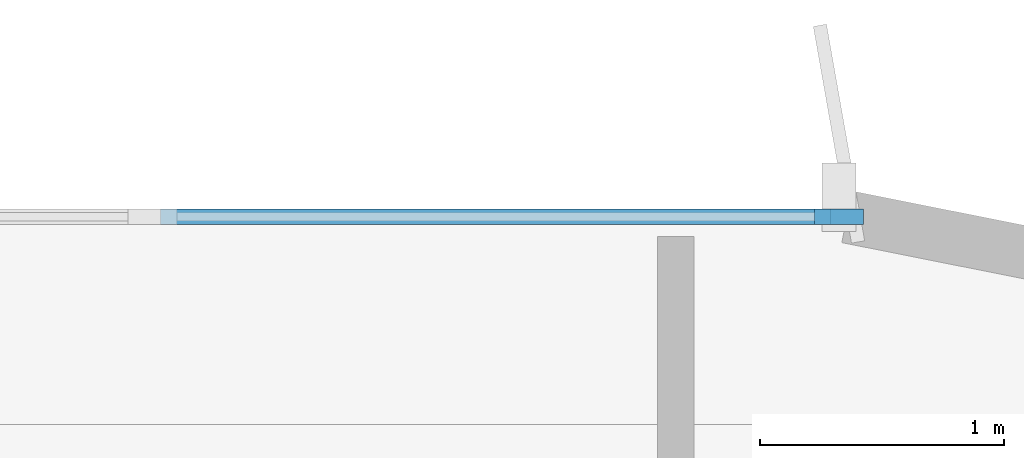
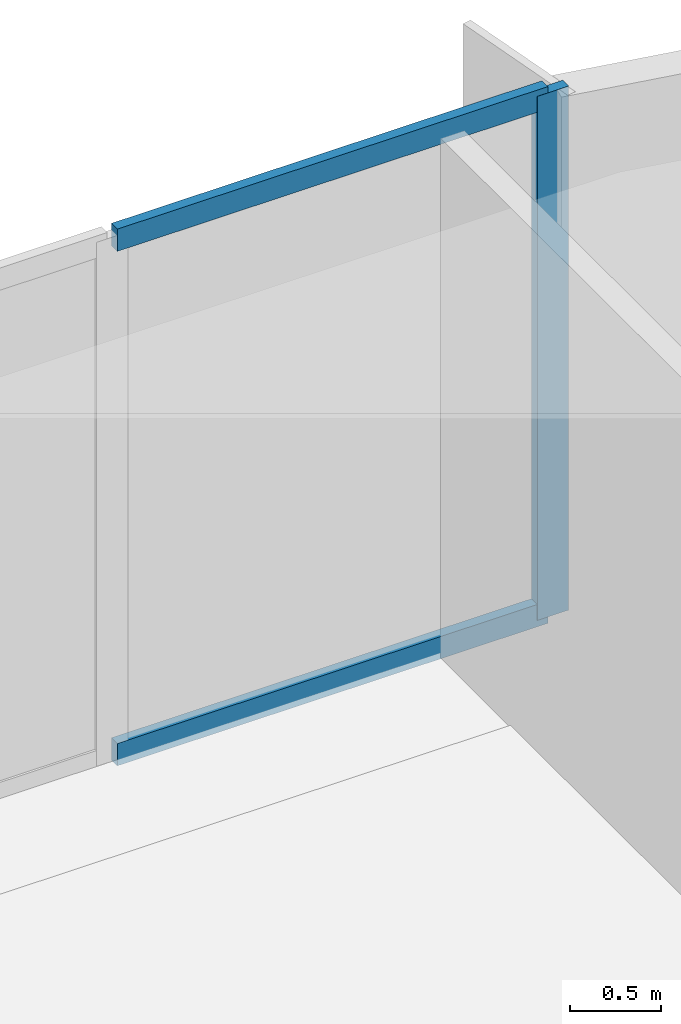
# One storey, part 8 of 18: 3 members, 1 element without a shape of its own.
"""IFC4 building model written with IfcOpenShell, lengths in metres."""

from ifc_helpers import new_model, si_unit, direction, frame, origin, origin_2d, place, context, subcontext, project, spatial, rectangle, extrude, source, transform, mapped, material, layer, layer_set, material_profile, profile_set, type_object, element, aggregate, save


model = new_model("IFC4")

# Units and contexts
model_context = context("Model", 3, precision=1e-05, world=origin(), true_north=direction((0.0, 1.0)))
body_context = subcontext(model_context, "Body", "Model", "MODEL_VIEW")
ifc_project = project(units=[si_unit("LENGTHUNIT", "METRE"), si_unit("AREAUNIT", "SQUARE_METRE"), si_unit("VOLUMEUNIT", "CUBIC_METRE"), si_unit("PLANEANGLEUNIT", "RADIAN"), si_unit("MASSUNIT", "GRAM", prefix="KILO")], contexts=[model_context])

# Site, building, storey
site_placement = place(None, origin())
site = spatial("IfcSite", under=ifc_project, at=site_placement, CompositionType="ELEMENT")
building_placement = place(site_placement, origin())
building = spatial("IfcBuilding", under=site, at=building_placement, Name="Brelvock Crest Care Tower", CompositionType="ELEMENT")
storey_placement = place(building_placement, frame((0.0, 0.0, 42.1201171875)))
storey = spatial("IfcBuildingStorey", under=building, at=storey_placement, Name="L10", CompositionType="ELEMENT", Elevation=42.1201171875)

# Curtain wall, members
ifc_material_1 = material(Name="Dark Glass Double Glazed Low-E", Category="glass")
ifc_layer = layer(ifc_material_1, 0.195068359375, Name="CWS-2")
ifc_layer_set = layer_set([ifc_layer], Name="Dark Glass Double Glazed Low-E")
curtain_wall_type = type_object("IfcCurtainWallType", Name="CWS-2", PredefinedType="NOTDEFINED", material=ifc_layer_set)
curtain_wall_placement = place(storey_placement, origin())
curtain_wall = element("IfcCurtainWall", 1, at=curtain_wall_placement, inside=storey, type_object=curtain_wall_type, Name="L10 Curtain Wall E30", PredefinedType="NOTDEFINED")
ifc_material_2 = material(Name="Aluminium 6063-T6", Category="aluminium")
ifc_material_profile_1 = material_profile(ifc_material_2, rectangle(XDim=0.06494140625, YDim=0.14990234375, at=origin_2d()), Name="ALU65x150")
ifc_profile_set_1 = profile_set([ifc_material_profile_1], Name="Aluminium 6063-T6")
member_type_1 = type_object("IfcMemberType", Name="CWT-1", PredefinedType="USERDEFINED", material=ifc_profile_set_1)
shared_shape_1 = source(origin(), body_context, "Body", "SweptSolid", [
    extrude(rectangle(XDim=0.06494140625, YDim=0.14990234375, at=origin_2d()), origin(), (0.0, 0.0, 1.0), 2.74267578125),
])
member_1_placement = place(storey_placement, frame((53.992431640625, 36.0, 0.032470703125), z_axis=(1.0, 0.0, 0.0), x_axis=(0.0, 1.0, 0.0)))
member_1 = element("IfcMember", 2, at=member_1_placement, type_object=member_type_1, Name="CW-2 transom 5.1", ObjectType="TRANSOM", PredefinedType="USERDEFINED", context=body_context, shape_type="MappedRepresentation", body=[
    mapped(shared_shape_1, transform((0.0, 0.0, 0.0), x_axis=(1.0, 0.0, 0.0), y_axis=(0.0, 1.0, 0.0), z_axis=(0.0, 0.0, 1.0), scale=1.0)),
])
member_2_placement = place(storey_placement, frame((53.992431640625, 36.0, 3.497314453125), z_axis=(1.0, 0.0, 0.0), x_axis=(0.0, 1.0, 0.0)))
member_2 = element("IfcMember", 3, at=member_2_placement, type_object=member_type_1, Name="CW-2 transom 5.2", ObjectType="TRANSOM", PredefinedType="USERDEFINED", context=body_context, shape_type="MappedRepresentation", body=[
    mapped(shared_shape_1, transform((0.0, 0.0, 0.0), x_axis=(1.0, 0.0, 0.0), y_axis=(0.0, 1.0, 0.0), z_axis=(0.0, 0.0, 1.0), scale=1.0)),
])
ifc_material_profile_2 = material_profile(ifc_material_2, rectangle(XDim=0.06494140625, YDim=0.199951171875, at=origin_2d()), Name="ALU65x200")
ifc_profile_set_2 = profile_set([ifc_material_profile_2], Name="Aluminium 6063-T6")
member_type_2 = type_object("IfcMemberType", Name="CWM-1", PredefinedType="MULLION", material=ifc_profile_set_2)
shared_shape_2 = source(origin(), body_context, "Body", "SweptSolid", [
    extrude(rectangle(XDim=0.06494140625, YDim=0.199951171875, at=origin_2d()), origin(), (0.0, 0.0, 1.0), 3.52978515625),
])
member_3_placement = place(storey_placement, frame((56.767578125, 36.0, 0.0), z_axis=(0.0, 0.0, 1.0), x_axis=(0.0, 1.0, 0.0)))
member_3 = element("IfcMember", 4, at=member_3_placement, type_object=member_type_2, Name="CW-2 mullion 6", PredefinedType="MULLION", context=body_context, shape_type="MappedRepresentation", body=[
    mapped(shared_shape_2, transform((0.0, 0.0, 0.0), x_axis=(1.0, 0.0, 0.0), y_axis=(0.0, 1.0, 0.0), z_axis=(0.0, 0.0, 1.0), scale=1.0)),
])
aggregate(curtain_wall, [member_3, member_1, member_2])

save(model, "model.ifc")
